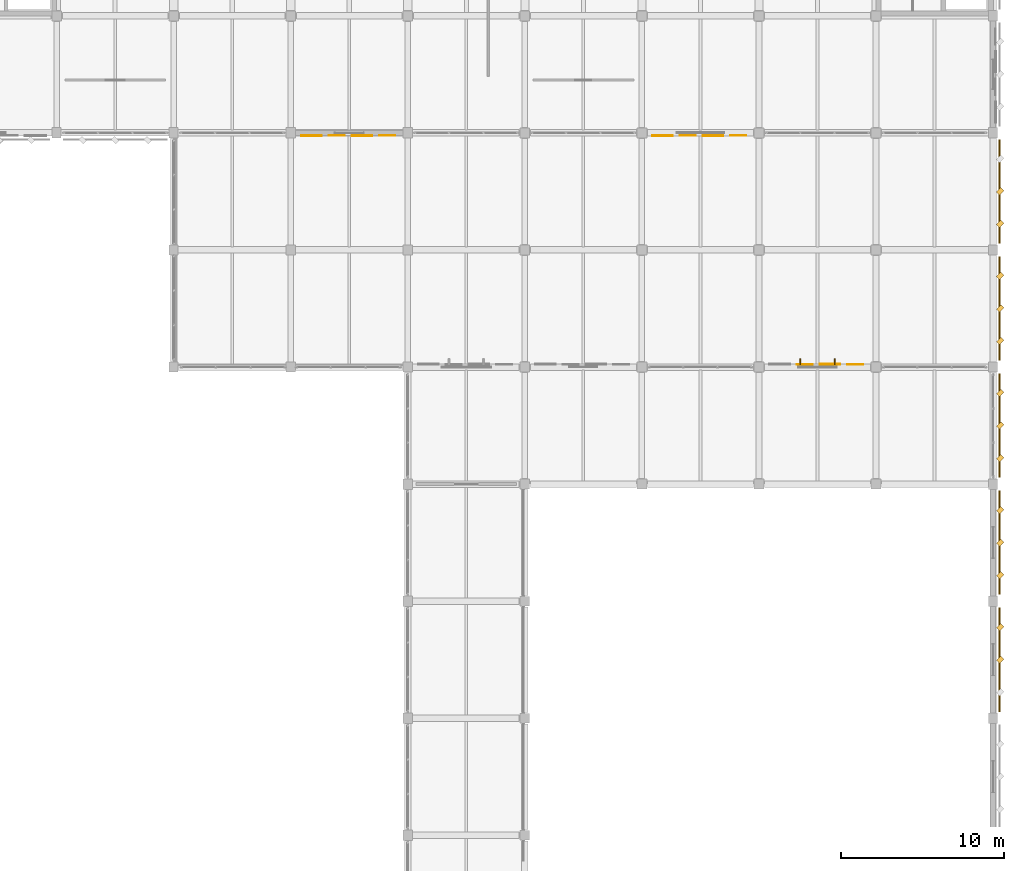
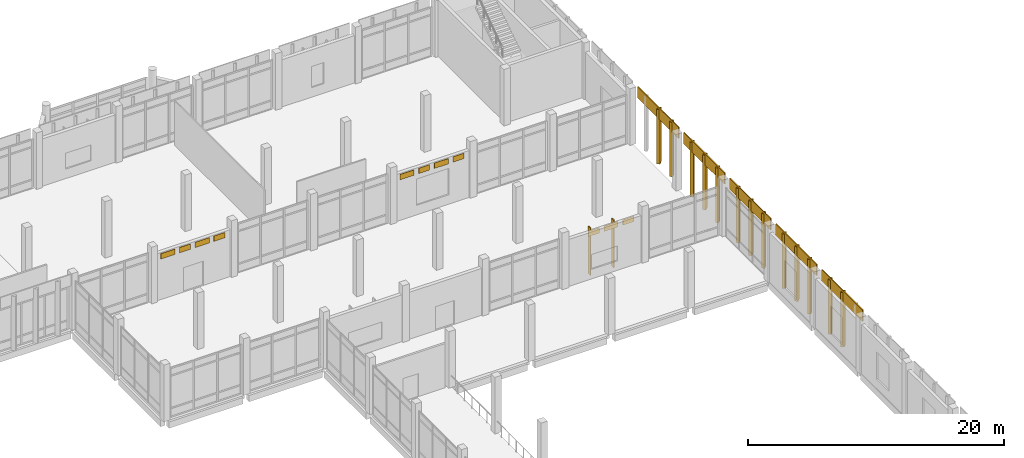
# One storey, part 179 of 180: 31 coverings.
"""IFC4 building model written with IfcOpenShell, lengths in metres."""

from ifc_helpers import new_model, si_unit, direction, frame, origin, origin_2d, place, context, subcontext, project, spatial, rectangle, extrude, material, layer, layer_set, type_object, element, save


model = new_model("IFC4")

# Units and contexts
model_context = context("Model", 3, precision=1e-05, world=origin(), true_north=direction((0.0, 1.0)))
body_context = subcontext(model_context, "Body", "Model", "MODEL_VIEW")
ifc_project = project(units=[si_unit("LENGTHUNIT", "METRE"), si_unit("AREAUNIT", "SQUARE_METRE"), si_unit("VOLUMEUNIT", "CUBIC_METRE"), si_unit("PLANEANGLEUNIT", "RADIAN"), si_unit("MASSUNIT", "GRAM", prefix="KILO")], contexts=[model_context])

# Site, building, storey
site_placement = place(None, origin())
site = spatial("IfcSite", under=ifc_project, at=site_placement, CompositionType="ELEMENT")
building_placement = place(site_placement, origin())
building = spatial("IfcBuilding", under=site, at=building_placement, Name="Lusvemor Sports Hall", CompositionType="ELEMENT")
storey_placement = place(building_placement, frame((0.0, 0.0, 5.39990234375)))
storey = spatial("IfcBuildingStorey", under=building, at=storey_placement, Name="L01", CompositionType="ELEMENT", Elevation=5.39990234375)

# Coverings
ifc_material_1 = material(Name="Emerald polychrome glazed ceramic cladding on Concrete C40/50 backing", Category="concrete")
ifc_layer_1 = layer(ifc_material_1, 0.0458984375)
ifc_layer_set_1 = layer_set([ifc_layer_1], Name="Emerald polychrome glazed ceramic cladding on Concrete C40/50 backing")
covering_type_1 = type_object("IfcCoveringType", Name="CLAD_WAVE_EMERALD", PredefinedType="CLADDING", material=ifc_layer_set_1)
for number, where, z_axis, x_axis, name in (
    (1, (127.27490234375, 97.034423828125, 3.88525390625), (0.0, 0.0, 1.0), (1.0, 0.0, 0.0), "Art Nouveau Patterned Cladding PS-EW-L01-S-3-11-1"),
    (2, (130.375, 97.034423828125, 3.88525390625), (0.0, 0.0, 1.0), (1.0, 0.0, 0.0), "Art Nouveau Patterned Cladding PS-EW-L01-S-3-11-3"),
    (3, (148.875, 97.034423828125, 3.88525390625), (0.0, 0.0, 1.0), (1.0, 0.0, 0.0), "Art Nouveau Patterned Cladding PS-EW-L01-S-3-14-1"),
    (4, (151.97509765625, 97.034423828125, 3.88525390625), (0.0, 0.0, 1.0), (1.0, 0.0, 0.0), "Art Nouveau Patterned Cladding PS-EW-L01-S-3-14-3"),
    (5, (159.175048828125, 82.965576171875, 3.88525390625), (0.0, 0.0, 1.0), (1.0, 0.0, 0.0), "Art Nouveau Patterned Cladding PS-EW-L01-N-5-3-3"),
):
    element("IfcCovering", number, at=place(storey_placement, frame(where, z_axis=z_axis, x_axis=x_axis)), inside=storey, type_object=covering_type_1, Name=name, PredefinedType="CLADDING", context=body_context, shape_type="SweptSolid", body=[
        extrude(rectangle(XDim=1.27099609375, YDim=0.0458984375, at=origin_2d()), origin(), (0.0, 0.0, 1.0), 0.510009765625),
    ])
for number, where, z_axis, x_axis, name in (
    (6, (169.639892578125, 64.800048828125, 0.10009765625), (0.0, 0.0, 1.0), (0.707106781187, 0.707106781187, 0.0), "Patterned Diamond Cladding Rib 399"),
    (7, (169.639892578125, 72.0, 0.10009765625), (0.0, 0.0, 1.0), (0.707106781187, 0.707106781187, 0.0), "Patterned Diamond Cladding Rib 411"),
    (8, (169.639892578125, 79.199951171875, 0.10009765625), (0.0, 0.0, 1.0), (0.707106781187, 0.707106781187, 0.0), "Patterned Diamond Cladding Rib 423"),
    (9, (169.639892578125, 86.39990234375, 0.10009765625), (0.0, 0.0, 1.0), (0.707106781187, 0.707106781187, 0.0), "Patterned Diamond Cladding Rib 440"),
    (10, (169.639892578125, 93.60009765625, 0.10009765625), (0.0, 0.0, 1.0), (0.707106781187, 0.707106781187, 0.0), "Patterned Diamond Cladding Rib 452"),
):
    element("IfcCovering", number, at=place(storey_placement, frame(where, z_axis=z_axis, x_axis=x_axis)), inside=storey, type_object=covering_type_1, Name=name, PredefinedType="CLADDING", context=body_context, shape_type="SweptSolid", body=[
        extrude(rectangle(XDim=0.3798828125, YDim=0.280029296875, at=origin_2d()), origin(), (0.0, 0.0, 1.0), 5.199951171875),
    ])
ifc_material_2 = material(Name="Warm terracotta Art Nouveau ceramic cladding on Concrete C40/50 backing", Category="masonry")
ifc_layer_2 = layer(ifc_material_2, 0.0380859375)
ifc_layer_set_2 = layer_set([ifc_layer_2], Name="Warm terracotta Art Nouveau ceramic cladding on Concrete C40/50 backing")
covering_type_2 = type_object("IfcCoveringType", Name="CLAD_WAVE_OCHRE", PredefinedType="CLADDING", material=ifc_layer_set_2)
for number, where, z_axis, x_axis, name in (
    (11, (128.824951171875, 97.03857421875, 3.88525390625), (0.0, 0.0, 1.0), (1.0, 0.0, 0.0), "Art Nouveau Patterned Cladding PS-EW-L01-S-3-11-2"),
    (12, (131.925048828125, 97.03857421875, 3.88525390625), (0.0, 0.0, 1.0), (1.0, 0.0, 0.0), "Art Nouveau Patterned Cladding PS-EW-L01-S-3-11-4"),
    (13, (150.425048828125, 97.03857421875, 3.88525390625), (0.0, 0.0, 1.0), (1.0, 0.0, 0.0), "Art Nouveau Patterned Cladding PS-EW-L01-S-3-14-2"),
    (14, (153.52490234375, 97.03857421875, 3.88525390625), (0.0, 0.0, 1.0), (1.0, 0.0, 0.0), "Art Nouveau Patterned Cladding PS-EW-L01-S-3-14-4"),
    (15, (157.625, 82.96142578125, 3.88525390625), (0.0, 0.0, 1.0), (1.0, 0.0, 0.0), "Art Nouveau Patterned Cladding PS-EW-L01-N-5-3-2"),
    (16, (160.72509765625, 82.96142578125, 3.88525390625), (0.0, 0.0, 1.0), (1.0, 0.0, 0.0), "Art Nouveau Patterned Cladding PS-EW-L01-N-5-3-4"),
):
    element("IfcCovering", number, at=place(storey_placement, frame(where, z_axis=z_axis, x_axis=x_axis)), inside=storey, type_object=covering_type_2, Name=name, PredefinedType="CLADDING", context=body_context, shape_type="SweptSolid", body=[
        extrude(rectangle(XDim=0.991943359375, YDim=0.0380859375, at=origin_2d()), origin(), (0.0, 0.0, 1.0), 0.510009765625),
    ])
for number, where, z_axis, x_axis, name in (
    (17, (169.590087890625, 64.800048828125, 4.380126953125), (0.0, 0.0, 1.0), (1.0, 0.0, 0.0), "Art Nouveau Spandrel Cornice 397"),
    (18, (169.590087890625, 72.0, 4.380126953125), (0.0, 0.0, 1.0), (1.0, 0.0, 0.0), "Art Nouveau Spandrel Cornice 409"),
    (19, (169.590087890625, 79.199951171875, 4.380126953125), (0.0, 0.0, 1.0), (1.0, 0.0, 0.0), "Art Nouveau Spandrel Cornice 421"),
    (20, (169.590087890625, 86.39990234375, 4.380126953125), (0.0, 0.0, 1.0), (1.0, 0.0, 0.0), "Art Nouveau Spandrel Cornice 438"),
    (21, (169.590087890625, 93.60009765625, 4.380126953125), (0.0, 0.0, 1.0), (1.0, 0.0, 0.0), "Art Nouveau Spandrel Cornice 450"),
):
    element("IfcCovering", number, at=place(storey_placement, frame(where, z_axis=z_axis, x_axis=x_axis)), inside=storey, type_object=covering_type_2, Name=name, PredefinedType="CLADDING", context=body_context, shape_type="SweptSolid", body=[
        extrude(rectangle(XDim=0.090087890625, YDim=6.3798828125, at=origin_2d()), origin(), (0.0, 0.0, 1.0), 1.080078125),
    ])
ifc_material_3 = material(Name="Emerald polychrome glazed ceramic cladding on Concrete C40/50 backing", Category="concrete")
ifc_layer_3 = layer(ifc_material_3, 0.35009765625)
ifc_layer_set_3 = layer_set([ifc_layer_3], Name="Emerald polychrome glazed ceramic cladding on Concrete C40/50 backing")
covering_type_3 = type_object("IfcCoveringType", Name="FIN_BRISE_CER_350", PredefinedType="MOLDING", material=ifc_layer_set_3)
for number, where, z_axis, x_axis, name in (
    (22, (157.340087890625, 83.12744140625, 0.10009765625), (0.0, 0.0, 1.0), (1.0, 0.0, 0.0), "Wing Brise-Soleil Fin L01-N-5-3-1"),
    (23, (159.4599609375, 83.12744140625, 0.10009765625), (0.0, 0.0, 1.0), (1.0, 0.0, 0.0), "Wing Brise-Soleil Fin L01-N-5-3-2"),
):
    element("IfcCovering", number, at=place(storey_placement, frame(where, z_axis=z_axis, x_axis=x_axis)), inside=storey, type_object=covering_type_3, Name=name, PredefinedType="MOLDING", context=body_context, shape_type="SweptSolid", body=[
        extrude(rectangle(XDim=0.080078125, YDim=0.35009765625, at=origin_2d()), origin(), (0.0, 0.0, 1.0), 4.52001953125),
    ])
ifc_material_4 = material(Name="Warm terracotta Art Nouveau ceramic cladding on Concrete C40/50 backing", Category="masonry")
ifc_layer_4 = layer(ifc_material_4, 0.449951171875)
ifc_layer_set_4 = layer_set([ifc_layer_4], Name="Warm terracotta Art Nouveau ceramic cladding on Concrete C40/50 backing")
covering_type_4 = type_object("IfcCoveringType", Name="FIN_BRISE_CER_450", PredefinedType="MOLDING", material=ifc_layer_set_4)
for number, where, z_axis, x_axis, name in (
    (24, (169.639892578125, 66.800048828125, 0.10009765625), (0.0, 0.0, 1.0), (0.707106781187, 0.707106781187, 0.0), "Patterned Diamond Cladding Rib 400"),
    (25, (169.639892578125, 70.0, 0.10009765625), (0.0, 0.0, 1.0), (0.707106781187, 0.707106781187, 0.0), "Patterned Diamond Cladding Rib 410"),
    (26, (169.639892578125, 74.0, 0.10009765625), (0.0, 0.0, 1.0), (0.707106781187, 0.707106781187, 0.0), "Patterned Diamond Cladding Rib 412"),
    (27, (169.639892578125, 77.199951171875, 0.10009765625), (0.0, 0.0, 1.0), (0.707106781187, 0.707106781187, 0.0), "Patterned Diamond Cladding Rib 422"),
    (28, (169.639892578125, 81.199951171875, 0.10009765625), (0.0, 0.0, 1.0), (0.707106781187, 0.707106781187, 0.0), "Patterned Diamond Cladding Rib 424"),
    (29, (169.639892578125, 84.39990234375, 0.10009765625), (0.0, 0.0, 1.0), (0.707106781187, 0.707106781187, 0.0), "Patterned Diamond Cladding Rib 439"),
    (30, (169.639892578125, 88.39990234375, 0.10009765625), (0.0, 0.0, 1.0), (0.707106781187, 0.707106781187, 0.0), "Patterned Diamond Cladding Rib 441"),
    (31, (169.639892578125, 91.60009765625, 0.10009765625), (0.0, 0.0, 1.0), (0.707106781187, 0.707106781187, 0.0), "Patterned Diamond Cladding Rib 451"),
):
    element("IfcCovering", number, at=place(storey_placement, frame(where, z_axis=z_axis, x_axis=x_axis)), inside=storey, type_object=covering_type_4, Name=name, PredefinedType="MOLDING", context=body_context, shape_type="SweptSolid", body=[
        extrude(rectangle(XDim=0.3798828125, YDim=0.280029296875, at=origin_2d()), origin(), (0.0, 0.0, 1.0), 5.199951171875),
    ])

save(model, "model.ifc")
